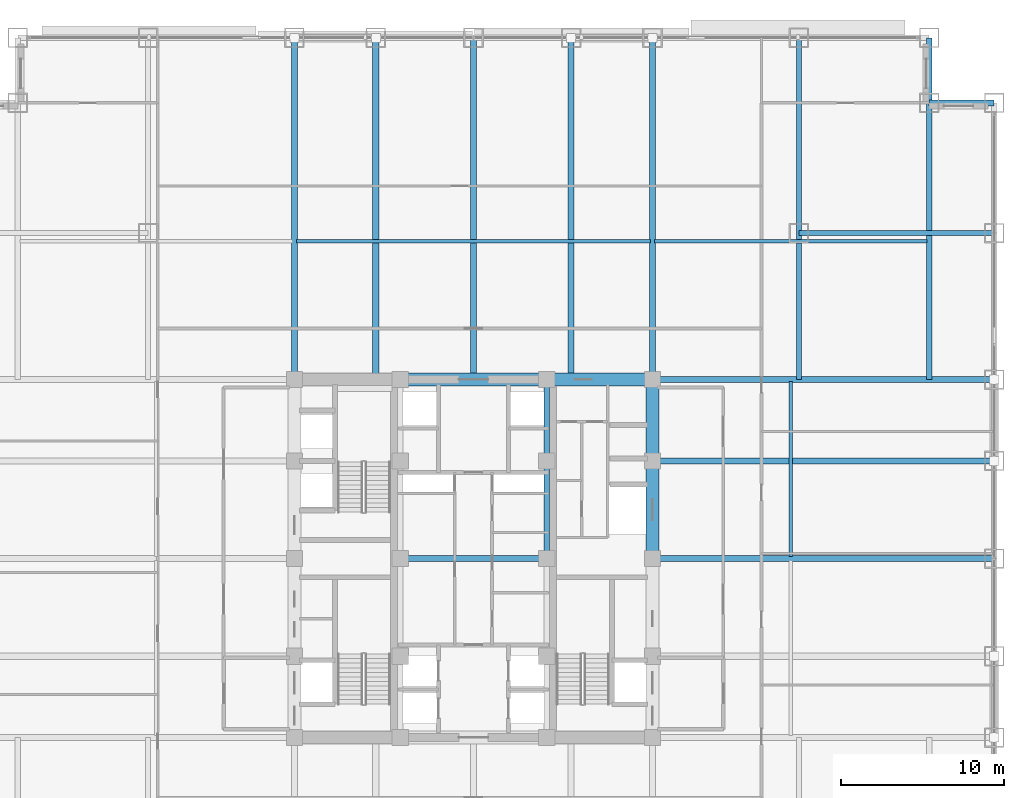
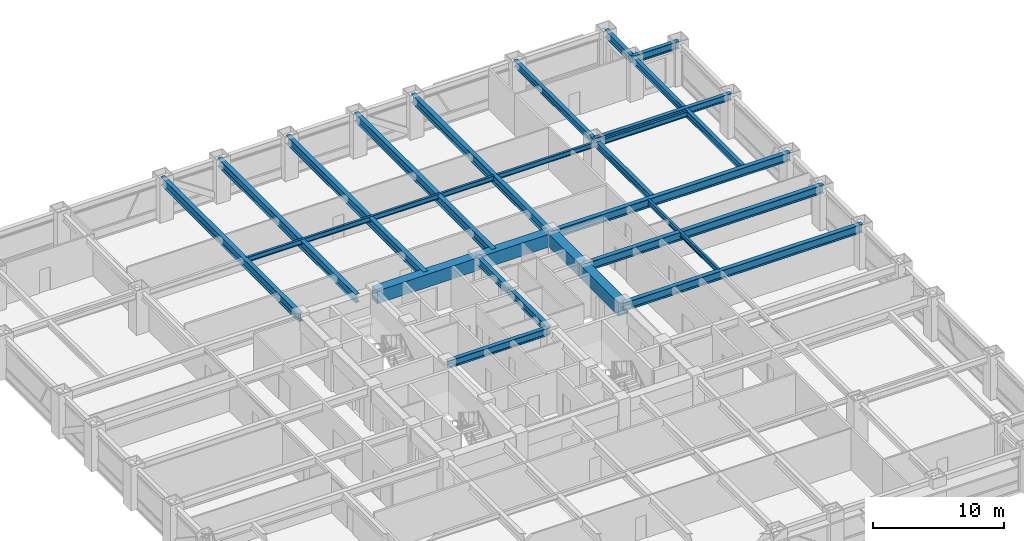
# One storey, part 11 of 32: 23 beams.
"""IFC4 building model written with IfcOpenShell, lengths in metres."""

from ifc_helpers import new_model, si_unit, direction, frame, origin, origin_2d, place, context, subcontext, project, spatial, rectangle, i_section, extrude, source, transform, mapped, material, material_profile, profile_set, type_object, element, save


model = new_model("IFC4")

# Units and contexts
model_context = context("Model", 3, precision=1e-05, world=origin(), true_north=direction((0.0, 1.0)))
body_context = subcontext(model_context, "Body", "Model", "MODEL_VIEW")
ifc_project = project(units=[si_unit("LENGTHUNIT", "METRE"), si_unit("AREAUNIT", "SQUARE_METRE"), si_unit("VOLUMEUNIT", "CUBIC_METRE"), si_unit("PLANEANGLEUNIT", "RADIAN"), si_unit("MASSUNIT", "GRAM", prefix="KILO")], contexts=[model_context])

# Site, building, storey
site_placement = place(None, origin())
site = spatial("IfcSite", under=ifc_project, at=site_placement, CompositionType="ELEMENT")
building_placement = place(site_placement, origin())
building = spatial("IfcBuilding", under=site, at=building_placement, Name="Khorayat Bourse Tower", CompositionType="ELEMENT")
storey_placement = place(building_placement, frame((0.0, 0.0, 91.39990234375)))
storey = spatial("IfcBuildingStorey", under=building, at=storey_placement, Name="L20", CompositionType="ELEMENT", Elevation=91.39990234375)

# Beams
ifc_material_1 = material(Name="Concrete C72/90", Category="concrete")
ifc_material_profile_1 = material_profile(ifc_material_1, rectangle(XDim=0.800048828125, YDim=1.199951171875, at=origin_2d()), Name="RC 800x1200")
ifc_profile_set_1 = profile_set([ifc_material_profile_1], Name="Concrete C72/90")
beam_type_1 = type_object("IfcBeamType", Name="BM-COUP-1200", PredefinedType="BEAM", material=ifc_profile_set_1)
shared_shape_1 = source(origin(), body_context, "Body", "SweptSolid", [
    extrude(rectangle(XDim=0.800048828125, YDim=1.199951171875, at=origin_2d()), origin(), (0.0, 0.0, 1.0), 5.0),
])
beam_1_placement = place(storey_placement, frame((11.0, 6.0, 3.239990234375), z_axis=(0.0, 1.0, 0.0), x_axis=(-1.0, 0.0, 0.0)))
element("IfcBeam", 1, at=beam_1_placement, inside=storey, type_object=beam_type_1, Name="L20 BM-COUP-1200 BM-L20-CRX-16", PredefinedType="BEAM", context=body_context, shape_type="MappedRepresentation", body=[
    mapped(shared_shape_1, transform((0.0, 0.0, 0.0), scale=1.0)),
])
shared_shape_2 = source(origin(), body_context, "Body", "SweptSolid", [
    extrude(rectangle(XDim=0.800048828125, YDim=1.199951171875, at=origin_2d()), origin(), (0.0, 0.0, 1.0), 6.0),
])
beam_2_placement = place(storey_placement, frame((11.0, 0.0, 3.239990234375), z_axis=(0.0, 1.0, 0.0), x_axis=(-1.0, 0.0, 0.0)))
element("IfcBeam", 2, at=beam_2_placement, inside=storey, type_object=beam_type_1, Name="L20 BM-COUP-1200 BM-L20-CRX-15", PredefinedType="BEAM", context=body_context, shape_type="MappedRepresentation", body=[
    mapped(shared_shape_2, transform((0.0, 0.0, 0.0), scale=1.0)),
])
ifc_material_2 = material(Name="Steel ASTM A992 Grade 50", Category="steel")
ifc_material_profile_2 = material_profile(ifc_material_2, i_section(OverallWidth=0.35498046875, OverallDepth=0.695068359375, WebThickness=0.015380859375, FlangeThickness=0.02490234375, FilletRadius=0.01806640625, at=origin_2d()), Name="W690X217")
ifc_profile_set_2 = profile_set([ifc_material_profile_2], Name="Steel ASTM A992 Grade 50")
beam_type_2 = type_object("IfcBeamType", Name="BM-GIRD-690", PredefinedType="BEAM", material=ifc_profile_set_2)
shared_shape_3 = source(origin(), body_context, "Body", "SweptSolid", [
    extrude(i_section(OverallWidth=0.35498046875, OverallDepth=0.695068359375, WebThickness=0.015380859375, FlangeThickness=0.02490234375, FilletRadius=0.01806640625, at=origin_2d()), origin(), (0.0, 0.0, 1.0), 5.0),
])
beam_3_placement = place(storey_placement, frame((4.5, 6.0, 3.49267578125), z_axis=(0.0, 1.0, 0.0), x_axis=(-1.0, 0.0, 0.0)))
element("IfcBeam", 3, at=beam_3_placement, inside=storey, type_object=beam_type_2, Name="L20 BM-GIRD-690 BM-L20-CRX-12", PredefinedType="BEAM", context=body_context, shape_type="MappedRepresentation", body=[
    mapped(shared_shape_3, transform((0.0, 0.0, 0.0), scale=1.0)),
])
shared_shape_4 = source(origin(), body_context, "Body", "SweptSolid", [
    extrude(i_section(OverallWidth=0.35498046875, OverallDepth=0.695068359375, WebThickness=0.015380859375, FlangeThickness=0.02490234375, FilletRadius=0.01806640625, at=origin_2d()), origin(), (0.0, 0.0, 1.0), 6.0),
])
beam_4_placement = place(storey_placement, frame((4.5, 0.0, 3.49267578125), z_axis=(0.0, 1.0, 0.0), x_axis=(-1.0, 0.0, 0.0)))
element("IfcBeam", 4, at=beam_4_placement, inside=storey, type_object=beam_type_2, Name="L20 BM-GIRD-690 BM-L20-CRX-11", PredefinedType="BEAM", context=body_context, shape_type="MappedRepresentation", body=[
    mapped(shared_shape_4, transform((0.0, 0.0, 0.0), scale=1.0)),
])
shared_shape_5 = source(origin(), body_context, "Body", "SweptSolid", [
    extrude(rectangle(XDim=0.800048828125, YDim=1.199951171875, at=origin_2d()), origin(), (0.0, 0.0, 1.0), 6.5),
])
beam_5_placement = place(storey_placement, frame((4.5, 11.0, 3.239990234375), z_axis=(1.0, 0.0, 0.0), x_axis=(0.0, 1.0, 0.0)))
element("IfcBeam", 5, at=beam_5_placement, inside=storey, type_object=beam_type_1, Name="L20 BM-COUP-1200 BM-L20-CRY-22", PredefinedType="BEAM", context=body_context, shape_type="MappedRepresentation", body=[
    mapped(shared_shape_5, transform((0.0, 0.0, 0.0), scale=1.0)),
])
shared_shape_6 = source(origin(), body_context, "Body", "SweptSolid", [
    extrude(rectangle(XDim=0.800048828125, YDim=1.199951171875, at=origin_2d()), origin(), (0.0, 0.0, 1.0), 9.0),
])
beam_6_placement = place(storey_placement, frame((-4.5, 11.0, 3.239990234375), z_axis=(1.0, 0.0, 0.0), x_axis=(0.0, 1.0, 0.0)))
element("IfcBeam", 6, at=beam_6_placement, inside=storey, type_object=beam_type_1, Name="L20 BM-COUP-1200 BM-L20-CRY-21", PredefinedType="BEAM", context=body_context, shape_type="MappedRepresentation", body=[
    mapped(shared_shape_6, transform((0.0, 0.0, 0.0), scale=1.0)),
])
shared_shape_7 = source(origin(), body_context, "Body", "SweptSolid", [
    extrude(i_section(OverallWidth=0.35498046875, OverallDepth=0.695068359375, WebThickness=0.015380859375, FlangeThickness=0.02490234375, FilletRadius=0.01806640625, at=origin_2d()), origin(), (0.0, 0.0, 1.0), 9.0),
])
beam_7_placement = place(storey_placement, frame((-4.5, 0.0, 3.49267578125), z_axis=(1.0, 0.0, 0.0), x_axis=(0.0, 1.0, 0.0)))
element("IfcBeam", 7, at=beam_7_placement, inside=storey, type_object=beam_type_2, Name="L20 BM-GIRD-690 BM-L20-CRY-23", PredefinedType="BEAM", context=body_context, shape_type="MappedRepresentation", body=[
    mapped(shared_shape_7, transform((0.0, 0.0, 0.0), scale=1.0)),
])
ifc_material_profile_3 = material_profile(ifc_material_2, i_section(OverallWidth=0.324951171875, OverallDepth=0.615966796875, WebThickness=0.013916015625, FlangeThickness=0.021484375, FilletRadius=0.01611328125, at=origin_2d()), Name="W610X174")
ifc_profile_set_3 = profile_set([ifc_material_profile_3], Name="Steel ASTM A992 Grade 50")
beam_type_3 = type_object("IfcBeamType", Name="BM-GIRD-610", PredefinedType="BEAM", material=ifc_profile_set_3)
shared_shape_8 = source(origin(), body_context, "Body", "SweptSolid", [
    extrude(i_section(OverallWidth=0.324951171875, OverallDepth=0.615966796875, WebThickness=0.013916015625, FlangeThickness=0.021484375, FilletRadius=0.01611328125, at=origin_2d()), origin(), (0.0, 0.0, 1.0), 21.0),
])
beam_8_placement = place(storey_placement, frame((20.0, 11.0, 3.531982421875), z_axis=(0.0, 1.0, 0.0), x_axis=(-1.0, 0.0, 0.0)))
element("IfcBeam", 8, at=beam_8_placement, inside=storey, type_object=beam_type_3, Name="L20 BM-GIRD-610 BM-L20-CNRY-087", PredefinedType="BEAM", context=body_context, shape_type="MappedRepresentation", body=[
    mapped(shared_shape_8, transform((0.0, 0.0, 0.0), scale=1.0)),
])
shared_shape_9 = source(origin(), body_context, "Body", "SweptSolid", [
    extrude(i_section(OverallWidth=0.324951171875, OverallDepth=0.615966796875, WebThickness=0.013916015625, FlangeThickness=0.021484375, FilletRadius=0.01611328125, at=origin_2d()), origin(), (0.0, 0.0, 1.0), 12.0),
])
beam_9_placement = place(storey_placement, frame((20.0, 20.0, 3.531982421875), z_axis=(1.0, 0.0, 0.0), x_axis=(0.0, 1.0, 0.0)))
element("IfcBeam", 9, at=beam_9_placement, inside=storey, type_object=beam_type_3, Name="L20 BM-GIRD-610 BM-L20-CNRX-094", PredefinedType="BEAM", context=body_context, shape_type="MappedRepresentation", body=[
    mapped(shared_shape_9, transform((0.0, 0.0, 0.0), scale=1.0)),
])
ifc_material_profile_4 = material_profile(ifc_material_2, i_section(OverallWidth=0.194091796875, OverallDepth=0.468994140625, WebThickness=0.0126953125, FlangeThickness=0.0205078125, FilletRadius=0.012939453125, at=origin_2d()), Name="W460X106")
ifc_profile_set_4 = profile_set([ifc_material_profile_4], Name="Steel ASTM A992 Grade 50")
beam_type_4 = type_object("IfcBeamType", Name="BM-JOIST-460", PredefinedType="JOIST", material=ifc_profile_set_4)
shared_shape_10 = source(origin(), body_context, "Body", "SweptSolid", [
    extrude(i_section(OverallWidth=0.194091796875, OverallDepth=0.468994140625, WebThickness=0.0126953125, FlangeThickness=0.0205078125, FilletRadius=0.012939453125, at=origin_2d()), origin(), (0.0, 0.0, 1.0), 21.740234375),
])
beam_10_placement = place(storey_placement, frame((-10.8701171875, 19.5, 3.605712890625), z_axis=(1.0, 0.0, 0.0), x_axis=(0.0, 1.0, 0.0)))
element("IfcBeam", 10, at=beam_10_placement, inside=storey, type_object=beam_type_4, Name="L20 BM-JOIST-460 BM-L20-JSTX-100", PredefinedType="JOIST", context=body_context, shape_type="MappedRepresentation", body=[
    mapped(shared_shape_10, transform((0.0, 0.0, 0.0), scale=1.0)),
])
shared_shape_11 = source(origin(), body_context, "Body", "SweptSolid", [
    extrude(i_section(OverallWidth=0.194091796875, OverallDepth=0.468994140625, WebThickness=0.0126953125, FlangeThickness=0.0205078125, FilletRadius=0.012939453125, at=origin_2d()), origin(), (0.0, 0.0, 1.0), 10.740234375),
])
beam_11_placement = place(storey_placement, frame((19.5, 0.1298828125, 3.605712890625), z_axis=(0.0, 1.0, 0.0), x_axis=(-1.0, 0.0, 0.0)))
element("IfcBeam", 11, at=beam_11_placement, inside=storey, type_object=beam_type_4, Name="L20 BM-JOIST-460 BM-L20-JSTY-105", PredefinedType="JOIST", context=body_context, shape_type="MappedRepresentation", body=[
    mapped(shared_shape_11, transform((0.0, 0.0, 0.0), scale=1.0)),
])
ifc_material_profile_5 = material_profile(ifc_material_2, i_section(OverallWidth=0.35498046875, OverallDepth=0.695068359375, WebThickness=0.015380859375, FlangeThickness=0.02490234375, FilletRadius=0.01806640625, at=origin_2d()), Name="W690X217")
ifc_profile_set_5 = profile_set([ifc_material_profile_5], Name="Steel ASTM A992 Grade 50")
beam_type_5 = type_object("IfcBeamType", Name="BM-SPAN-690", PredefinedType="SPANDREL", material=ifc_profile_set_5)
shared_shape_12 = source(origin(), body_context, "Body", "SweptSolid", [
    extrude(i_section(OverallWidth=0.35498046875, OverallDepth=0.695068359375, WebThickness=0.015380859375, FlangeThickness=0.02490234375, FilletRadius=0.01806640625, at=origin_2d()), origin(), (0.0, 0.0, 1.0), 4.0),
])
for number, where, z_axis, x_axis, name in (
    (12, (28.0, 28.0, 3.49267578125), (1.0, 0.0, 0.0), (0.0, 1.0, 0.0), "L20 BM-SPAN-690 BM-L20-SPN-042"),
    (13, (28.0, 28.0, 3.49267578125), (0.0, 1.0, 0.0), (-1.0, 0.0, 0.0), "L20 BM-SPAN-690 BM-L20-SPN-043"),
):
    element("IfcBeam", number, at=place(storey_placement, frame(where, z_axis=z_axis, x_axis=x_axis)), inside=storey, type_object=beam_type_5, Name=name, PredefinedType="SPANDREL", context=body_context, shape_type="MappedRepresentation", body=[
        mapped(shared_shape_12, transform((0.0, 0.0, 0.0), scale=1.0)),
    ])
ifc_material_profile_6 = material_profile(ifc_material_2, i_section(OverallWidth=0.381103515625, OverallDepth=0.77294921875, WebThickness=0.0166015625, FlangeThickness=0.027587890625, FilletRadius=0.01806640625, at=origin_2d()), Name="W760X257")
ifc_profile_set_6 = profile_set([ifc_material_profile_6], Name="Steel ASTM A992 Grade 50")
beam_type_6 = type_object("IfcBeamType", Name="BM-GIRD-760", PredefinedType="BEAM", material=ifc_profile_set_6)
shared_shape_13 = source(origin(), body_context, "Body", "SweptSolid", [
    extrude(i_section(OverallWidth=0.381103515625, OverallDepth=0.77294921875, WebThickness=0.0166015625, FlangeThickness=0.027587890625, FilletRadius=0.01806640625, at=origin_2d()), origin(), (0.0, 0.0, 1.0), 21.0),
])
for number, where, z_axis, x_axis, name in (
    (14, (-11.0, 11.0, 3.45361328125), (0.0, 1.0, 0.0), (-1.0, 0.0, 0.0), "L20 BM-GIRD-760 BM-L20-RADY-064"),
    (15, (-6.0, 11.0, 3.45361328125), (0.0, 1.0, 0.0), (-1.0, 0.0, 0.0), "L20 BM-GIRD-760 BM-L20-RADY-066"),
    (16, (0.0, 11.0, 3.45361328125), (0.0, 1.0, 0.0), (-1.0, 0.0, 0.0), "L20 BM-GIRD-760 BM-L20-RADY-068"),
    (17, (6.0, 11.0, 3.45361328125), (0.0, 1.0, 0.0), (-1.0, 0.0, 0.0), "L20 BM-GIRD-760 BM-L20-RADY-070"),
    (18, (11.0, 11.0, 3.45361328125), (0.0, 1.0, 0.0), (-1.0, 0.0, 0.0), "L20 BM-GIRD-760 BM-L20-RADY-072"),
    (19, (11.0, 0.0, 3.45361328125), (1.0, 0.0, 0.0), (0.0, 1.0, 0.0), "L20 BM-GIRD-760 BM-L20-RADX-078"),
    (20, (11.0, 6.0, 3.45361328125), (1.0, 0.0, 0.0), (0.0, 1.0, 0.0), "L20 BM-GIRD-760 BM-L20-RADX-080"),
    (21, (11.0, 11.0, 3.45361328125), (1.0, 0.0, 0.0), (0.0, 1.0, 0.0), "L20 BM-GIRD-760 BM-L20-RADX-082"),
):
    element("IfcBeam", number, at=place(storey_placement, frame(where, z_axis=z_axis, x_axis=x_axis)), inside=storey, type_object=beam_type_6, Name=name, PredefinedType="BEAM", context=body_context, shape_type="MappedRepresentation", body=[
        mapped(shared_shape_13, transform((0.0, 0.0, 0.0), scale=1.0)),
    ])
shared_shape_14 = source(origin(), body_context, "Body", "SweptSolid", [
    extrude(i_section(OverallWidth=0.324951171875, OverallDepth=0.615966796875, WebThickness=0.013916015625, FlangeThickness=0.021484375, FilletRadius=0.01611328125, at=origin_2d()), origin(), (0.0, 0.0, 1.0), 17.0),
])
beam_12_placement = place(storey_placement, frame((28.0, 11.0, 3.531982421875), z_axis=(0.0, 1.0, 0.0), x_axis=(-1.0, 0.0, 0.0)))
element("IfcBeam", 22, at=beam_12_placement, inside=storey, type_object=beam_type_3, Name="L20 BM-GIRD-610 BM-L20-CNRY-091", PredefinedType="BEAM", context=body_context, shape_type="MappedRepresentation", body=[
    mapped(shared_shape_14, transform((0.0, 0.0, 0.0), scale=1.0)),
])
shared_shape_15 = source(origin(), body_context, "Body", "SweptSolid", [
    extrude(i_section(OverallWidth=0.194091796875, OverallDepth=0.468994140625, WebThickness=0.0126953125, FlangeThickness=0.0205078125, FilletRadius=0.012939453125, at=origin_2d()), origin(), (0.0, 0.0, 1.0), 16.740234375),
])
beam_13_placement = place(storey_placement, frame((11.1298828125, 19.5, 3.605712890625), z_axis=(1.0, 0.0, 0.0), x_axis=(0.0, 1.0, 0.0)))
element("IfcBeam", 23, at=beam_13_placement, inside=storey, type_object=beam_type_4, Name="L20 BM-JOIST-460 BM-L20-JSTX-101", PredefinedType="JOIST", context=body_context, shape_type="MappedRepresentation", body=[
    mapped(shared_shape_15, transform((0.0, 0.0, 0.0), scale=1.0)),
])

save(model, "model.ifc")
